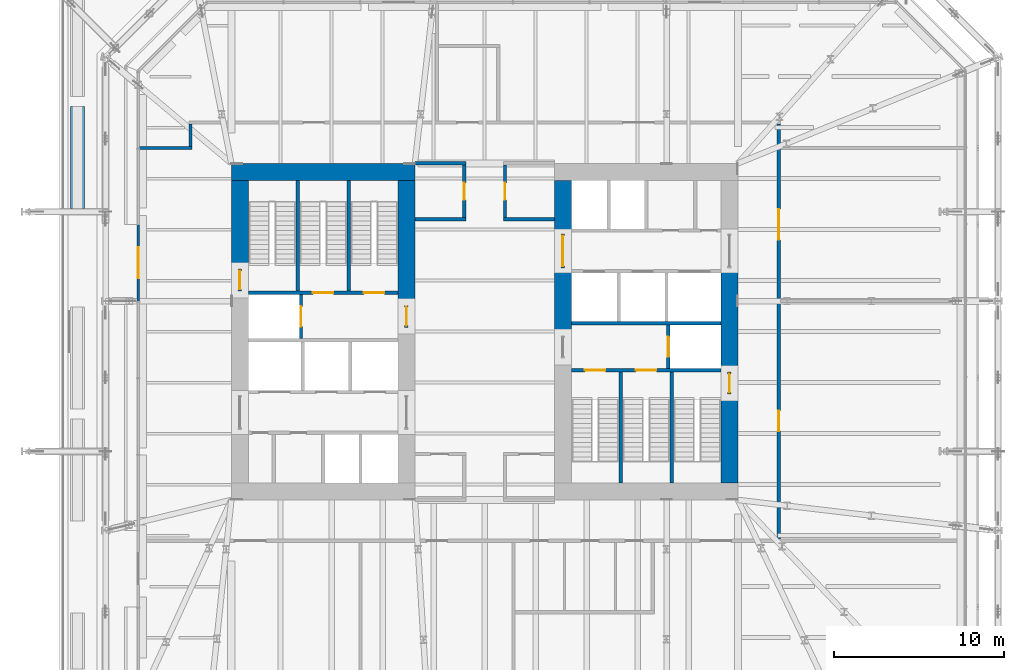
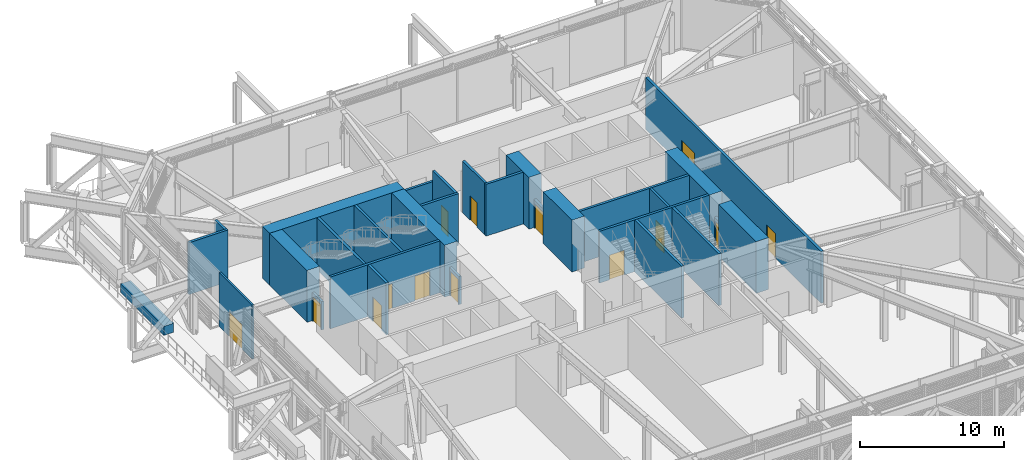
# One storey, part 18 of 29: 30 walls, 15 doors, 15 openings.
"""IFC4 building model written with IfcOpenShell, lengths in metres."""

from ifc_helpers import new_model, si_unit, direction, frame, frame_2d, origin, place, context, subcontext, project, spatial, rectangle, extrude, material, layer, layer_set, type_object, element, fill, save


model = new_model("IFC4")

# Units and contexts
model_context = context("Model", 3, precision=1e-05, world=origin(), true_north=direction((0.0, 1.0)))
body_context = subcontext(model_context, "Body", "Model", "MODEL_VIEW")
ifc_project = project(units=[si_unit("LENGTHUNIT", "METRE"), si_unit("AREAUNIT", "SQUARE_METRE"), si_unit("VOLUMEUNIT", "CUBIC_METRE"), si_unit("PLANEANGLEUNIT", "RADIAN"), si_unit("MASSUNIT", "GRAM", prefix="KILO")], contexts=[model_context])

# Site, building, storey
site_placement = place(None, origin())
site = spatial("IfcSite", under=ifc_project, at=site_placement, CompositionType="ELEMENT")
building_placement = place(site_placement, origin())
building = spatial("IfcBuilding", under=site, at=building_placement, Name="Millrace Tower", CompositionType="ELEMENT")
storey_placement = place(building_placement, frame((0.0, 0.0, 68.60009765625)))
storey = spatial("IfcBuildingStorey", under=building, at=storey_placement, Name="L15", CompositionType="ELEMENT", Elevation=68.60009765625)

# Walls
ifc_material_1 = material(Name="Concrete C80", Category="concrete")
ifc_layer_1 = layer(ifc_material_1, 1.0)
ifc_layer_set_1 = layer_set([ifc_layer_1], Name="Concrete C80")
wall_type_1 = type_object("IfcWallType", Name="Core wall 1000 Concrete C80", PredefinedType="SHEAR", material=ifc_layer_set_1)
wall_1_placement = place(storey_placement, frame((-14.89990234375, 9.39990234375, 0.0), z_axis=(0.0, 0.0, 1.0), x_axis=(1.0, 0.0, 0.0)))
element("IfcWall", 1, at=wall_1_placement, inside=storey, type_object=wall_type_1, Name="Core wall W L15", PredefinedType="SHEAR", context=body_context, shape_type="SweptSolid", body=[
    extrude(rectangle(XDim=10.7998046875, YDim=1.0, at=frame_2d((5.39990234375, 0.0))), origin(), (0.0, 0.0, 1.0), 4.39990234375),
])
wall_2_placement = place(storey_placement, frame((-14.39990234375, 3.679931640625, 0.0), z_axis=(0.0, 0.0, 1.0), x_axis=(0.0, 1.0, 0.0)))
element("IfcWall", 2, at=wall_2_placement, inside=storey, type_object=wall_type_1, Name="Core wall W L15", PredefinedType="SHEAR", context=body_context, shape_type="SweptSolid", body=[
    extrude(rectangle(XDim=5.219970703125, YDim=1.0, at=frame_2d((2.60986328125, 0.0))), origin(), (0.0, 0.0, 1.0), 4.39990234375),
])
wall_3_placement = place(storey_placement, frame((-4.60009765625, 1.550048828125, 0.0), z_axis=(0.0, 0.0, 1.0), x_axis=(0.0, 1.0, 0.0)))
element("IfcWall", 3, at=wall_3_placement, inside=storey, type_object=wall_type_1, Name="Core wall W L15", PredefinedType="SHEAR", context=body_context, shape_type="SweptSolid", body=[
    extrude(rectangle(XDim=7.349853515625, YDim=1.0, at=frame_2d((3.6748046875, 0.0))), origin(), (0.0, 0.0, 1.0), 4.39990234375),
])
wall_4_placement = place(storey_placement, frame((14.39990234375, 3.75, 0.0), z_axis=(0.0, 0.0, 1.0), x_axis=(0.0, -1.0, 0.0)))
element("IfcWall", 4, at=wall_4_placement, inside=storey, type_object=wall_type_1, Name="Core wall E L15", PredefinedType="SHEAR", context=body_context, shape_type="SweptSolid", body=[
    extrude(rectangle(XDim=6.1298828125, YDim=1.0, at=frame_2d((3.06494140625, 0.0))), origin(), (0.0, 0.0, 1.0), 4.39990234375),
])
wall_5_placement = place(storey_placement, frame((14.39990234375, -3.679931640625, 0.0), z_axis=(0.0, 0.0, 1.0), x_axis=(0.0, -1.0, 0.0)))
element("IfcWall", 5, at=wall_5_placement, inside=storey, type_object=wall_type_1, Name="Core wall E L15", PredefinedType="SHEAR", context=body_context, shape_type="SweptSolid", body=[
    extrude(rectangle(XDim=5.219970703125, YDim=1.0, at=frame_2d((2.60986328125, 0.0))), origin(), (0.0, 0.0, 1.0), 4.39990234375),
])
wall_6_placement = place(storey_placement, frame((4.60009765625, 8.89990234375, 0.0), z_axis=(0.0, 0.0, 1.0), x_axis=(0.0, -1.0, 0.0)))
element("IfcWall", 6, at=wall_6_placement, inside=storey, type_object=wall_type_1, Name="Core wall E L15", PredefinedType="SHEAR", context=body_context, shape_type="SweptSolid", body=[
    extrude(rectangle(XDim=3.14990234375, YDim=1.0, at=frame_2d((1.574951171875, 0.0))), origin(), (0.0, 0.0, 1.0), 4.39990234375),
])
wall_7_placement = place(storey_placement, frame((4.60009765625, 3.75, 0.0), z_axis=(0.0, 0.0, 1.0), x_axis=(0.0, -1.0, 0.0)))
element("IfcWall", 7, at=wall_7_placement, inside=storey, type_object=wall_type_1, Name="Core wall E L15", PredefinedType="SHEAR", context=body_context, shape_type="SweptSolid", body=[
    extrude(rectangle(XDim=4.0, YDim=1.0, at=frame_2d((2.0, 0.0))), origin(), (0.0, 0.0, 1.0), 4.39990234375),
])
ifc_material_2 = material(Name="Masonry partition, fire-rated", Category="masonry")
ifc_layer_2 = layer(ifc_material_2, 0.199951171875)
ifc_layer_set_2 = layer_set([ifc_layer_2], Name="Masonry partition, fire-rated")
wall_type_2 = type_object("IfcWallType", Name="Corridor wall 200", PredefinedType="PARTITIONING", material=ifc_layer_set_2)
for number, where, z_axis, x_axis, name in (
    (8, (-4.10009765625, 6.60009765625, 0.0), (0.0, 0.0, 1.0), (1.0, 0.0, 0.0), "Corridor wall L15"),
    (9, (1.10009765625, 6.60009765625, 0.0), (0.0, 0.0, 1.0), (1.0, 0.0, 0.0), "Corridor wall L15"),
):
    element("IfcWall", number, at=place(storey_placement, frame(where, z_axis=z_axis, x_axis=x_axis)), inside=storey, type_object=wall_type_2, Name=name, PredefinedType="PARTITIONING", context=body_context, shape_type="SweptSolid", body=[
        extrude(rectangle(XDim=3.0, YDim=0.199951171875, at=frame_2d((1.5, 0.0))), origin(), (0.0, 0.0, 1.0), 4.39990234375),
    ])
wall_8_placement = place(storey_placement, frame((-4.10009765625, 9.89990234375, 0.0), z_axis=(0.0, 0.0, 1.0), x_axis=(1.0, 0.0, 0.0)))
element("IfcWall", 10, at=wall_8_placement, inside=storey, type_object=wall_type_2, Name="Corridor wall L15", PredefinedType="PARTITIONING", context=body_context, shape_type="SweptSolid", body=[
    extrude(rectangle(XDim=3.0, YDim=0.199951171875, at=frame_2d((1.5, 0.0))), origin(), (0.0, 0.0, 1.0), 3.462646484375),
])
wall_9_placement = place(storey_placement, frame((-20.330078125, 10.800048828125, 0.0), z_axis=(0.0, 0.0, 1.0), x_axis=(1.0, 0.0, 0.0)))
element("IfcWall", 11, at=wall_9_placement, inside=storey, type_object=wall_type_2, Name="Corridor wall L15", PredefinedType="PARTITIONING", context=body_context, shape_type="SweptSolid", body=[
    extrude(rectangle(XDim=3.130126953125, YDim=0.199951171875, at=frame_2d((1.56494140625, 0.0))), origin(), (0.0, 0.0, 1.0), 4.39990234375),
])

# Wall, openings, doors
wall_10_placement = place(storey_placement, frame((17.300048828125, -12.199951171875, 0.0), z_axis=(0.0, 0.0, 1.0), x_axis=(0.0, 1.0, 0.0)))
wall_10 = element("IfcWall", 12, at=wall_10_placement, inside=storey, type_object=wall_type_2, Name="Corridor wall L15", PredefinedType="PARTITIONING", context=body_context, shape_type="SweptSolid", body=[
    extrude(rectangle(XDim=24.39990234375, YDim=0.199951171875, at=frame_2d((12.199951171875, 0.0))), origin(), (0.0, 0.0, 1.0), 4.39990234375),
])
opening_1_placement = place(wall_10_placement, frame((6.35009765625, 0.0, 0.0)))
opening_1 = element("IfcOpeningElement", 13, at=opening_1_placement, cuts=wall_10, Name="Opening 15-P011", PredefinedType="OPENING", context=body_context, shape_type="SweptSolid", body=[
    extrude(rectangle(XDim=1.199951171875, YDim=2.10009765625, at=frame_2d((0.60009765625, 1.050048828125))), frame((0.0, 0.10986328125, 0.0), z_axis=(0.0, -1.0, 0.0), x_axis=(1.0, 0.0, 0.0)), (0.0, 0.0, 1.0), 0.219970703125),
])
opening_2_placement = place(wall_10_placement, frame((17.60009765625, 0.0, 0.0)))
opening_2 = element("IfcOpeningElement", 14, at=opening_2_placement, cuts=wall_10, Name="Opening 15-P012", PredefinedType="OPENING", context=body_context, shape_type="SweptSolid", body=[
    extrude(rectangle(XDim=1.800048828125, YDim=2.10009765625, at=frame_2d((0.89990234375, 1.050048828125))), frame((0.0, 0.10986328125, 0.0), z_axis=(0.0, -1.0, 0.0), x_axis=(1.0, 0.0, 0.0)), (0.0, 0.0, 1.0), 0.219970703125),
])
ifc_material_3 = material(Name="Steel door set, fire-rated", Category="steel")
door_type_1 = type_object("IfcDoorType", Name="Corridor door 1200 x 2100", OperationType="SINGLE_SWING_LEFT", PredefinedType="DOOR", material=ifc_material_3)
door_1_placement = place(opening_1_placement, origin())
door_1 = element("IfcDoor", 15, at=door_1_placement, inside=storey, type_object=door_type_1, Name="Door 15-P011", OperationType="SINGLE_SWING_LEFT", OverallHeight=2.10009765625, OverallWidth=1.199951171875, PredefinedType="DOOR", context=body_context, shape_type="SweptSolid", body=[
    extrude(rectangle(XDim=1.199951171875, YDim=2.10009765625, at=frame_2d((0.60009765625, 1.050048828125))), frame((0.0, 0.02490234375, 0.0), z_axis=(0.0, -1.0, 0.0), x_axis=(1.0, 0.0, 0.0)), (0.0, 0.0, 1.0), 0.050048828125),
])
fill(opening_1, door_1)
ifc_material_4 = material(Name="Steel door set, fire-rated", Category="steel")
door_type_2 = type_object("IfcDoorType", Name="Data hall door 1800 x 2100", OperationType="DOUBLE_DOOR_SINGLE_SWING", PredefinedType="DOOR", material=ifc_material_4)
door_2_placement = place(opening_2_placement, frame((1.800048828125, 0.0, 0.0), z_axis=(0.0, 0.0, 1.0), x_axis=(-1.0, 0.0, 0.0)))
door_2 = element("IfcDoor", 16, at=door_2_placement, inside=storey, type_object=door_type_2, Name="Door 15-P012", OperationType="DOUBLE_DOOR_SINGLE_SWING", OverallHeight=2.10009765625, OverallWidth=1.800048828125, PredefinedType="DOOR", context=body_context, shape_type="SweptSolid", body=[
    extrude(rectangle(XDim=1.800048828125, YDim=2.10009765625, at=frame_2d((0.89990234375, 1.050048828125))), frame((0.0, 0.02490234375, 0.0), z_axis=(0.0, -1.0, 0.0), x_axis=(1.0, 0.0, 0.0)), (0.0, 0.0, 1.0), 0.050048828125),
])
fill(opening_2, door_2)

# Wall, opening, door
wall_11_placement = place(storey_placement, frame((1.199951171875, 6.699951171875, 0.0), z_axis=(0.0, 0.0, 1.0), x_axis=(0.0, 1.0, 0.0)))
wall_11 = element("IfcWall", 17, at=wall_11_placement, inside=storey, type_object=wall_type_2, Name="Corridor wall L15", PredefinedType="PARTITIONING", context=body_context, shape_type="SweptSolid", body=[
    extrude(rectangle(XDim=3.10009765625, YDim=0.199951171875, at=frame_2d((1.550048828125, 0.0))), origin(), (0.0, 0.0, 1.0), 4.39990234375),
])
opening_3_placement = place(wall_11_placement, frame((1.050048828125, 0.0, 0.0)))
opening_3 = element("IfcOpeningElement", 18, at=opening_3_placement, cuts=wall_11, Name="Opening 15-P002", PredefinedType="OPENING", context=body_context, shape_type="SweptSolid", body=[
    extrude(rectangle(XDim=1.0, YDim=2.10009765625, at=frame_2d((0.5, 1.050048828125))), frame((0.0, 0.10986328125, 0.0), z_axis=(0.0, -1.0, 0.0), x_axis=(1.0, 0.0, 0.0)), (0.0, 0.0, 1.0), 0.219970703125),
])
ifc_material_5 = material(Name="Steel door set, fire-rated", Category="steel")
door_type_3 = type_object("IfcDoorType", Name="Corridor door 1000 x 2100", OperationType="SINGLE_SWING_LEFT", PredefinedType="DOOR", material=ifc_material_5)
door_3_placement = place(opening_3_placement, frame((1.0, 0.0, 0.0), z_axis=(0.0, 0.0, 1.0), x_axis=(-1.0, 0.0, 0.0)))
door_3 = element("IfcDoor", 19, at=door_3_placement, inside=storey, type_object=door_type_3, Name="Door 15-P002", OperationType="SINGLE_SWING_RIGHT", OverallHeight=2.10009765625, OverallWidth=1.0, PredefinedType="DOOR", context=body_context, shape_type="SweptSolid", body=[
    extrude(rectangle(XDim=1.0, YDim=2.10009765625, at=frame_2d((0.5, 1.050048828125))), frame((0.0, 0.02490234375, 0.0), z_axis=(0.0, -1.0, 0.0), x_axis=(1.0, 0.0, 0.0)), (0.0, 0.0, 1.0), 0.050048828125),
])
fill(opening_3, door_3)

wall_12_placement = place(storey_placement, frame((-1.199951171875, 6.699951171875, 0.0), z_axis=(0.0, 0.0, 1.0), x_axis=(0.0, 1.0, 0.0)))
wall_12 = element("IfcWall", 20, at=wall_12_placement, inside=storey, type_object=wall_type_2, Name="Corridor wall L15", PredefinedType="PARTITIONING", context=body_context, shape_type="SweptSolid", body=[
    extrude(rectangle(XDim=3.10009765625, YDim=0.199951171875, at=frame_2d((1.550048828125, 0.0))), origin(), (0.0, 0.0, 1.0), 4.39990234375),
])
opening_4_placement = place(wall_12_placement, frame((1.050048828125, 0.0, 0.0)))
opening_4 = element("IfcOpeningElement", 21, at=opening_4_placement, cuts=wall_12, Name="Opening 15-P001", PredefinedType="OPENING", context=body_context, shape_type="SweptSolid", body=[
    extrude(rectangle(XDim=1.0, YDim=2.10009765625, at=frame_2d((0.5, 1.050048828125))), frame((0.0, 0.10986328125, 0.0), z_axis=(0.0, -1.0, 0.0), x_axis=(1.0, 0.0, 0.0)), (0.0, 0.0, 1.0), 0.219970703125),
])
door_4_placement = place(opening_4_placement, origin())
door_4 = element("IfcDoor", 22, at=door_4_placement, inside=storey, type_object=door_type_3, Name="Door 15-P001", OperationType="SINGLE_SWING_LEFT", OverallHeight=2.10009765625, OverallWidth=1.0, PredefinedType="DOOR", context=body_context, shape_type="SweptSolid", body=[
    extrude(rectangle(XDim=1.0, YDim=2.10009765625, at=frame_2d((0.5, 1.050048828125))), frame((0.0, 0.02490234375, 0.0), z_axis=(0.0, -1.0, 0.0), x_axis=(1.0, 0.0, 0.0)), (0.0, 0.0, 1.0), 0.050048828125),
])
fill(opening_4, door_4)

# Wall
wall_13_placement = place(storey_placement, frame((-17.300048828125, 10.89990234375, 0.0), z_axis=(0.0, 0.0, 1.0), x_axis=(0.0, 1.0, 0.0)))
element("IfcWall", 23, at=wall_13_placement, inside=storey, type_object=wall_type_2, Name="Corridor wall L15", PredefinedType="PARTITIONING", context=body_context, shape_type="SweptSolid", body=[
    extrude(rectangle(XDim=1.300048828125, YDim=0.199951171875, at=frame_2d((0.64990234375, 0.0))), origin(), (0.0, 0.0, 1.0), 4.39990234375),
])

# Wall, opening, door
ifc_material_6 = material(Name="Aluminium framed glazing", Category="aluminium")
ifc_layer_3 = layer(ifc_material_6, 0.14990234375)
ifc_layer_set_3 = layer_set([ifc_layer_3], Name="Aluminium framed glazing")
wall_type_3 = type_object("IfcWallType", Name="Entrance infill wall 150 thick", PredefinedType="STANDARD", material=ifc_layer_set_3)
wall_14_placement = place(storey_placement, frame((-20.375, 6.300048828125, 0.0), z_axis=(0.0, 0.0, 1.0), x_axis=(0.0, -1.0, 0.0)))
wall_14 = element("IfcWall", 24, at=wall_14_placement, inside=storey, type_object=wall_type_3, Name="Entrance infill wall B-F08 3", PredefinedType="STANDARD", context=body_context, shape_type="SweptSolid", body=[
    extrude(rectangle(XDim=4.56494140625, YDim=0.14990234375, at=frame_2d((2.282470703125, 0.0))), origin(), (0.0, 0.0, 1.0), 4.599853515625),
])
opening_5_placement = place(wall_14_placement, frame((1.35009765625, 0.0, 0.0)))
opening_5 = element("IfcOpeningElement", 25, at=opening_5_placement, cuts=wall_14, Name="Opening 15-X003", PredefinedType="OPENING", context=body_context, shape_type="SweptSolid", body=[
    extrude(rectangle(XDim=1.800048828125, YDim=2.10009765625, at=frame_2d((0.89990234375, 1.050048828125))), frame((0.0, 0.0849609375, 0.0), z_axis=(0.0, -1.0, 0.0), x_axis=(1.0, 0.0, 0.0)), (0.0, 0.0, 1.0), 0.169921875),
])
ifc_material_7 = material(Name="Aluminium and glass", Category="aluminium")
door_type_4 = type_object("IfcDoorType", Name="Terrace double door", OperationType="DOUBLE_DOOR_DOUBLE_SWING", PredefinedType="DOOR", material=ifc_material_7)
door_5_placement = place(opening_5_placement, frame((1.800048828125, 0.0, 0.0), z_axis=(0.0, 0.0, 1.0), x_axis=(-1.0, 0.0, 0.0)))
door_5 = element("IfcDoor", 26, at=door_5_placement, inside=storey, type_object=door_type_4, Name="15-X003", OperationType="DOUBLE_DOOR_DOUBLE_SWING", OverallHeight=2.10009765625, OverallWidth=1.800048828125, PredefinedType="DOOR", context=body_context, shape_type="SweptSolid", body=[
    extrude(rectangle(XDim=1.800048828125, YDim=2.10009765625, at=frame_2d((0.89990234375, 1.050048828125))), frame((0.0, 0.02490234375, 0.0), z_axis=(0.0, -1.0, 0.0), x_axis=(1.0, 0.0, 0.0)), (0.0, 0.0, 1.0), 0.050048828125),
])
fill(opening_5, door_5)

ifc_material_8 = material(Name="Masonry partition, fire-rated", Category="masonry")
ifc_layer_4 = layer(ifc_material_8, 0.199951171875)
ifc_layer_set_4 = layer_set([ifc_layer_4], Name="Masonry partition, fire-rated")
wall_type_4 = type_object("IfcWallType", Name="Lift shaft wall 200", PredefinedType="PARTITIONING", material=ifc_layer_set_4)
wall_15_placement = place(storey_placement, frame((-10.800048828125, -0.39990234375, 0.0), z_axis=(0.0, 0.0, 1.0), x_axis=(0.0, 1.0, 0.0)))
wall_15 = element("IfcWall", 27, at=wall_15_placement, inside=storey, type_object=wall_type_4, Name="Lift shaft wall W L15", PredefinedType="PARTITIONING", context=body_context, shape_type="SweptSolid", body=[
    extrude(rectangle(XDim=2.579833984375, YDim=0.199951171875, at=frame_2d((1.2900390625, 0.0))), origin(), (0.0, 0.0, 1.0), 4.39990234375),
])
opening_6_placement = place(wall_15_placement, frame((0.68994140625, 0.0, 0.0)))
opening_6 = element("IfcOpeningElement", 28, at=opening_6_placement, cuts=wall_15, Name="Opening 15-LD08", PredefinedType="OPENING", context=body_context, shape_type="SweptSolid", body=[
    extrude(rectangle(XDim=1.199951171875, YDim=2.10009765625, at=frame_2d((0.60009765625, 1.050048828125))), frame((0.0, 0.10986328125, 0.0), z_axis=(0.0, -1.0, 0.0), x_axis=(1.0, 0.0, 0.0)), (0.0, 0.0, 1.0), 0.219970703125),
])
ifc_material_9 = material(Name="Stainless steel, fire-rated", Category="steel")
door_type_5 = type_object("IfcDoorType", Name="Lift landing door 1200 x 2100", OperationType="DOUBLE_DOOR_SLIDING", PredefinedType="DOOR", material=ifc_material_9)
door_6_placement = place(opening_6_placement, origin())
door_6 = element("IfcDoor", 29, at=door_6_placement, inside=storey, type_object=door_type_5, Name="Lift landing door LF8 L15", OperationType="DOUBLE_DOOR_SLIDING", OverallHeight=2.10009765625, OverallWidth=1.199951171875, PredefinedType="DOOR", context=body_context, shape_type="SweptSolid", body=[
    extrude(rectangle(XDim=1.199951171875, YDim=2.10009765625, at=frame_2d((0.60009765625, 1.050048828125))), frame((0.0, 0.02490234375, 0.0), z_axis=(0.0, -1.0, 0.0), x_axis=(1.0, 0.0, 0.0)), (0.0, 0.0, 1.0), 0.050048828125),
])
fill(opening_6, door_6)

# Wall
wall_16_placement = place(storey_placement, frame((13.89990234375, 0.5, 0.0), z_axis=(0.0, 0.0, 1.0), x_axis=(-1.0, 0.0, 0.0)))
element("IfcWall", 30, at=wall_16_placement, inside=storey, type_object=wall_type_4, Name="Lift shaft wall E L15", PredefinedType="PARTITIONING", context=body_context, shape_type="SweptSolid", body=[
    extrude(rectangle(XDim=8.7998046875, YDim=0.199951171875, at=frame_2d((4.39990234375, 0.0))), origin(), (0.0, 0.0, 1.0), 4.39990234375),
])

# Wall, opening, door
wall_17_placement = place(storey_placement, frame((10.800048828125, 0.39990234375, 0.0), z_axis=(0.0, 0.0, 1.0), x_axis=(0.0, -1.0, 0.0)))
wall_17 = element("IfcWall", 31, at=wall_17_placement, inside=storey, type_object=wall_type_4, Name="Lift shaft wall E L15", PredefinedType="PARTITIONING", context=body_context, shape_type="SweptSolid", body=[
    extrude(rectangle(XDim=2.579833984375, YDim=0.199951171875, at=frame_2d((1.2900390625, 0.0))), origin(), (0.0, 0.0, 1.0), 4.39990234375),
])
opening_7_placement = place(wall_17_placement, frame((0.68994140625, 0.0, 0.0)))
opening_7 = element("IfcOpeningElement", 32, at=opening_7_placement, cuts=wall_17, Name="Opening 15-LD16", PredefinedType="OPENING", context=body_context, shape_type="SweptSolid", body=[
    extrude(rectangle(XDim=1.199951171875, YDim=2.10009765625, at=frame_2d((0.60009765625, 1.050048828125))), frame((0.0, 0.10986328125, 0.0), z_axis=(0.0, -1.0, 0.0), x_axis=(1.0, 0.0, 0.0)), (0.0, 0.0, 1.0), 0.219970703125),
])
door_7_placement = place(opening_7_placement, origin())
door_7 = element("IfcDoor", 33, at=door_7_placement, inside=storey, type_object=door_type_5, Name="Lift landing door LF16 L15", OperationType="DOUBLE_DOOR_SLIDING", OverallHeight=2.10009765625, OverallWidth=1.199951171875, PredefinedType="DOOR", context=body_context, shape_type="SweptSolid", body=[
    extrude(rectangle(XDim=1.199951171875, YDim=2.10009765625, at=frame_2d((0.60009765625, 1.050048828125))), frame((0.0, 0.02490234375, 0.0), z_axis=(0.0, -1.0, 0.0), x_axis=(1.0, 0.0, 0.0)), (0.0, 0.0, 1.0), 0.050048828125),
])
fill(opening_7, door_7)

ifc_material_10 = material(Name="Masonry partition, fire-rated", Category="masonry")
ifc_layer_5 = layer(ifc_material_10, 0.199951171875)
ifc_layer_set_5 = layer_set([ifc_layer_5], Name="Masonry partition, fire-rated")
wall_type_5 = type_object("IfcWallType", Name="Lobby wall 200", PredefinedType="PARTITIONING", material=ifc_layer_set_5)
wall_18_placement = place(storey_placement, frame((-4.60009765625, 0.25, 0.0), z_axis=(0.0, 0.0, 1.0), x_axis=(0.0, 1.0, 0.0)))
wall_18 = element("IfcWall", 34, at=wall_18_placement, inside=storey, type_object=wall_type_5, Name="Lobby wall W L15", PredefinedType="PARTITIONING", context=body_context, shape_type="SweptSolid", body=[
    extrude(rectangle(XDim=1.300048828125, YDim=0.199951171875, at=frame_2d((0.64990234375, 0.0))), origin(), (0.0, 0.0, 1.0), 2.39990234375),
])
opening_8_placement = place(wall_18_placement, frame((0.10009765625, 0.0, 0.0)))
opening_8 = element("IfcOpeningElement", 35, at=opening_8_placement, cuts=wall_18, Name="Opening 15-C004", PredefinedType="OPENING", context=body_context, shape_type="SweptSolid", body=[
    extrude(rectangle(XDim=1.10009765625, YDim=2.10009765625, at=frame_2d((0.550048828125, 1.050048828125))), frame((0.0, 0.10986328125, 0.0), z_axis=(0.0, -1.0, 0.0), x_axis=(1.0, 0.0, 0.0)), (0.0, 0.0, 1.0), 0.219970703125),
])
ifc_material_11 = material(Name="Steel door, fire-rated", Category="steel")
door_type_6 = type_object("IfcDoorType", Name="Lobby door 1100 x 2100", OperationType="SINGLE_SWING_LEFT", PredefinedType="DOOR", material=ifc_material_11)
door_8_placement = place(opening_8_placement, origin())
door_8 = element("IfcDoor", 36, at=door_8_placement, inside=storey, type_object=door_type_6, Name="Lobby door 15-C004", OperationType="SINGLE_SWING_LEFT", OverallHeight=2.10009765625, OverallWidth=1.10009765625, PredefinedType="DOOR", context=body_context, shape_type="SweptSolid", body=[
    extrude(rectangle(XDim=1.10009765625, YDim=2.10009765625, at=frame_2d((0.550048828125, 1.050048828125))), frame((0.0, 0.02490234375, 0.0), z_axis=(0.0, -1.0, 0.0), x_axis=(1.0, 0.0, 0.0)), (0.0, 0.0, 1.0), 0.050048828125),
])
fill(opening_8, door_8)

wall_19_placement = place(storey_placement, frame((4.60009765625, 5.75, 0.0), z_axis=(0.0, 0.0, 1.0), x_axis=(0.0, -1.0, 0.0)))
wall_19 = element("IfcWall", 37, at=wall_19_placement, inside=storey, type_object=wall_type_5, Name="Lobby wall E L15", PredefinedType="PARTITIONING", context=body_context, shape_type="SweptSolid", body=[
    extrude(rectangle(XDim=2.0, YDim=0.199951171875, at=frame_2d((1.0, 0.0))), origin(), (0.0, 0.0, 1.0), 2.39990234375),
])
opening_9_placement = place(wall_19_placement, frame((0.10009765625, 0.0, 0.0)))
opening_9 = element("IfcOpeningElement", 38, at=opening_9_placement, cuts=wall_19, Name="Opening 15-C011", PredefinedType="OPENING", context=body_context, shape_type="SweptSolid", body=[
    extrude(rectangle(XDim=1.800048828125, YDim=2.10009765625, at=frame_2d((0.89990234375, 1.050048828125))), frame((0.0, 0.10986328125, 0.0), z_axis=(0.0, -1.0, 0.0), x_axis=(1.0, 0.0, 0.0)), (0.0, 0.0, 1.0), 0.219970703125),
])
ifc_material_12 = material(Name="Steel door, fire-rated", Category="steel")
door_type_7 = type_object("IfcDoorType", Name="Lobby door 1800 x 2100", OperationType="DOUBLE_DOOR_SINGLE_SWING", PredefinedType="DOOR", material=ifc_material_12)
door_9_placement = place(opening_9_placement, origin())
door_9 = element("IfcDoor", 39, at=door_9_placement, inside=storey, type_object=door_type_7, Name="Lobby door 15-C011", OperationType="DOUBLE_DOOR_SINGLE_SWING", OverallHeight=2.10009765625, OverallWidth=1.800048828125, PredefinedType="DOOR", context=body_context, shape_type="SweptSolid", body=[
    extrude(rectangle(XDim=1.800048828125, YDim=2.10009765625, at=frame_2d((0.89990234375, 1.050048828125))), frame((0.0, 0.02490234375, 0.0), z_axis=(0.0, -1.0, 0.0), x_axis=(1.0, 0.0, 0.0)), (0.0, 0.0, 1.0), 0.050048828125),
])
fill(opening_9, door_9)

# Wall
ifc_material_13 = material(Name="Concrete C40", Category="concrete")
ifc_layer_6 = layer(ifc_material_13, 0.800048828125)
ifc_layer_set_6 = layer_set([ifc_layer_6], Name="Concrete C40")
wall_type_6 = type_object("IfcWallType", Name="PLANTER raised bed 760 high x 800 thick", PredefinedType="STANDARD", material=ifc_layer_set_6)
wall_20_placement = place(storey_placement, frame((-23.949951171875, 13.242919921875, 0.039794921875), z_axis=(0.0, 0.0, 1.0), x_axis=(0.0, -1.0, 0.0)))
element("IfcWall", 40, at=wall_20_placement, inside=storey, type_object=wall_type_6, Name="PLANTER raised bed T-L14-1 1.3.1", PredefinedType="STANDARD", context=body_context, shape_type="SweptSolid", body=[
    extrude(rectangle(XDim=6.0, YDim=0.800048828125, at=frame_2d((3.0, 0.0))), origin(), (0.0, 0.0, 1.0), 0.760009765625),
])

# Wall, opening, door
ifc_material_14 = material(Name="Concrete C40", Category="concrete")
ifc_layer_7 = layer(ifc_material_14, 0.199951171875)
ifc_layer_set_7 = layer_set([ifc_layer_7], Name="Concrete C40")
wall_type_7 = type_object("IfcWallType", Name="Stair enclosure wall 200 Concrete C40", PredefinedType="SHEAR", material=ifc_layer_set_7)
wall_21_placement = place(storey_placement, frame((-14.39990234375, 2.3798828125, 0.0), z_axis=(0.0, 0.0, 1.0), x_axis=(0.0, 1.0, 0.0)))
wall_21 = element("IfcWall", 41, at=wall_21_placement, inside=storey, type_object=wall_type_7, Name="Stair enclosure wall W L15", PredefinedType="SHEAR", context=body_context, shape_type="SweptSolid", body=[
    extrude(rectangle(XDim=1.300048828125, YDim=0.199951171875, at=frame_2d((0.64990234375, 0.0))), origin(), (0.0, 0.0, 1.0), 2.39990234375),
])
opening_10_placement = place(wall_21_placement, frame((0.10009765625, 0.0, 0.0)))
opening_10 = element("IfcOpeningElement", 42, at=opening_10_placement, cuts=wall_21, Name="Opening 15-C002", PredefinedType="OPENING", context=body_context, shape_type="SweptSolid", body=[
    extrude(rectangle(XDim=1.10009765625, YDim=2.10009765625, at=frame_2d((0.550048828125, 1.050048828125))), frame((0.0, 0.10986328125, 0.0), z_axis=(0.0, -1.0, 0.0), x_axis=(1.0, 0.0, 0.0)), (0.0, 0.0, 1.0), 0.219970703125),
])
ifc_material_15 = material(Name="Steel door, fire-rated", Category="steel")
door_type_8 = type_object("IfcDoorType", Name="Stair door 1100 x 2100", OperationType="SINGLE_SWING_LEFT", PredefinedType="DOOR", material=ifc_material_15)
door_10_placement = place(opening_10_placement, origin())
door_10 = element("IfcDoor", 43, at=door_10_placement, inside=storey, type_object=door_type_8, Name="Stair door 15-C002", OperationType="SINGLE_SWING_RIGHT", OverallHeight=2.10009765625, OverallWidth=1.10009765625, PredefinedType="DOOR", context=body_context, shape_type="SweptSolid", body=[
    extrude(rectangle(XDim=1.10009765625, YDim=2.10009765625, at=frame_2d((0.550048828125, 1.050048828125))), frame((0.0, 0.02490234375, 0.0), z_axis=(0.0, -1.0, 0.0), x_axis=(1.0, 0.0, 0.0)), (0.0, 0.0, 1.0), 0.050048828125),
])
fill(opening_10, door_10)

# Wall, openings, doors
wall_22_placement = place(storey_placement, frame((-13.89990234375, 2.280029296875, 0.0), z_axis=(0.0, 0.0, 1.0), x_axis=(1.0, 0.0, 0.0)))
wall_22 = element("IfcWall", 44, at=wall_22_placement, inside=storey, type_object=wall_type_7, Name="Stair enclosure wall W L15", PredefinedType="SHEAR", context=body_context, shape_type="SweptSolid", body=[
    extrude(rectangle(XDim=8.7998046875, YDim=0.199951171875, at=frame_2d((4.39990234375, 0.0))), origin(), (0.0, 0.0, 1.0), 4.39990234375),
])
opening_11_placement = place(wall_22_placement, frame((3.800048828125, 0.0, 0.0)))
opening_11 = element("IfcOpeningElement", 45, at=opening_11_placement, cuts=wall_22, Name="Opening 15-C007", PredefinedType="OPENING", context=body_context, shape_type="SweptSolid", body=[
    extrude(rectangle(XDim=1.199951171875, YDim=2.10009765625, at=frame_2d((0.60009765625, 1.050048828125))), frame((0.0, 0.10986328125, 0.0), z_axis=(0.0, -1.0, 0.0), x_axis=(1.0, 0.0, 0.0)), (0.0, 0.0, 1.0), 0.219970703125),
])
opening_12_placement = place(wall_22_placement, frame((6.800048828125, 0.0, 0.0)))
opening_12 = element("IfcOpeningElement", 46, at=opening_12_placement, cuts=wall_22, Name="Opening 15-C008", PredefinedType="OPENING", context=body_context, shape_type="SweptSolid", body=[
    extrude(rectangle(XDim=1.199951171875, YDim=2.10009765625, at=frame_2d((0.60009765625, 1.050048828125))), frame((0.0, 0.10986328125, 0.0), z_axis=(0.0, -1.0, 0.0), x_axis=(1.0, 0.0, 0.0)), (0.0, 0.0, 1.0), 0.219970703125),
])
ifc_material_16 = material(Name="Steel door, fire-rated", Category="steel")
door_type_9 = type_object("IfcDoorType", Name="Stair door 1200 x 2100", OperationType="SINGLE_SWING_LEFT", PredefinedType="DOOR", material=ifc_material_16)
door_11_placement = place(opening_11_placement, frame((1.199951171875, 0.0, 0.0), z_axis=(0.0, 0.0, 1.0), x_axis=(-1.0, 0.0, 0.0)))
door_11 = element("IfcDoor", 47, at=door_11_placement, inside=storey, type_object=door_type_9, Name="Stair door 15-C007", OperationType="SINGLE_SWING_LEFT", OverallHeight=2.10009765625, OverallWidth=1.199951171875, PredefinedType="DOOR", context=body_context, shape_type="SweptSolid", body=[
    extrude(rectangle(XDim=1.199951171875, YDim=2.10009765625, at=frame_2d((0.60009765625, 1.050048828125))), frame((0.0, 0.02490234375, 0.0), z_axis=(0.0, -1.0, 0.0), x_axis=(1.0, 0.0, 0.0)), (0.0, 0.0, 1.0), 0.050048828125),
])
fill(opening_11, door_11)
door_12_placement = place(opening_12_placement, frame((1.199951171875, 0.0, 0.0), z_axis=(0.0, 0.0, 1.0), x_axis=(-1.0, 0.0, 0.0)))
door_12 = element("IfcDoor", 48, at=door_12_placement, inside=storey, type_object=door_type_9, Name="Stair door 15-C008", OperationType="SINGLE_SWING_LEFT", OverallHeight=2.10009765625, OverallWidth=1.199951171875, PredefinedType="DOOR", context=body_context, shape_type="SweptSolid", body=[
    extrude(rectangle(XDim=1.199951171875, YDim=2.10009765625, at=frame_2d((0.60009765625, 1.050048828125))), frame((0.0, 0.02490234375, 0.0), z_axis=(0.0, -1.0, 0.0), x_axis=(1.0, 0.0, 0.0)), (0.0, 0.0, 1.0), 0.050048828125),
])
fill(opening_12, door_12)

# Walls
for number, where, z_axis, x_axis, name in (
    (49, (-11.0, 2.3798828125, 0.0), (0.0, 0.0, 1.0), (0.0, 1.0, 0.0), "Stair enclosure wall W L15"),
    (50, (-8.0, 2.3798828125, 0.0), (0.0, 0.0, 1.0), (0.0, 1.0, 0.0), "Stair enclosure wall W L15"),
):
    element("IfcWall", number, at=place(storey_placement, frame(where, z_axis=z_axis, x_axis=x_axis)), inside=storey, type_object=wall_type_7, Name=name, PredefinedType="SHEAR", context=body_context, shape_type="SweptSolid", body=[
        extrude(rectangle(XDim=6.52001953125, YDim=0.199951171875, at=frame_2d((3.260009765625, 0.0))), origin(), (0.0, 0.0, 1.0), 4.39990234375),
    ])

# Wall, opening, door
wall_23_placement = place(storey_placement, frame((14.39990234375, -2.3798828125, 0.0), z_axis=(0.0, 0.0, 1.0), x_axis=(0.0, -1.0, 0.0)))
wall_23 = element("IfcWall", 51, at=wall_23_placement, inside=storey, type_object=wall_type_7, Name="Stair enclosure wall E L15", PredefinedType="SHEAR", context=body_context, shape_type="SweptSolid", body=[
    extrude(rectangle(XDim=1.300048828125, YDim=0.199951171875, at=frame_2d((0.64990234375, 0.0))), origin(), (0.0, 0.0, 1.0), 2.39990234375),
])
opening_13_placement = place(wall_23_placement, frame((0.10009765625, 0.0, 0.0)))
opening_13 = element("IfcOpeningElement", 52, at=opening_13_placement, cuts=wall_23, Name="Opening 15-C010", PredefinedType="OPENING", context=body_context, shape_type="SweptSolid", body=[
    extrude(rectangle(XDim=1.10009765625, YDim=2.10009765625, at=frame_2d((0.550048828125, 1.050048828125))), frame((0.0, 0.10986328125, 0.0), z_axis=(0.0, -1.0, 0.0), x_axis=(1.0, 0.0, 0.0)), (0.0, 0.0, 1.0), 0.219970703125),
])
door_13_placement = place(opening_13_placement, origin())
door_13 = element("IfcDoor", 53, at=door_13_placement, inside=storey, type_object=door_type_8, Name="Stair door 15-C010", OperationType="SINGLE_SWING_RIGHT", OverallHeight=2.10009765625, OverallWidth=1.10009765625, PredefinedType="DOOR", context=body_context, shape_type="SweptSolid", body=[
    extrude(rectangle(XDim=1.10009765625, YDim=2.10009765625, at=frame_2d((0.550048828125, 1.050048828125))), frame((0.0, 0.02490234375, 0.0), z_axis=(0.0, -1.0, 0.0), x_axis=(1.0, 0.0, 0.0)), (0.0, 0.0, 1.0), 0.050048828125),
])
fill(opening_13, door_13)

# Wall, openings, doors
wall_24_placement = place(storey_placement, frame((13.89990234375, -2.280029296875, 0.0), z_axis=(0.0, 0.0, 1.0), x_axis=(-1.0, 0.0, 0.0)))
wall_24 = element("IfcWall", 54, at=wall_24_placement, inside=storey, type_object=wall_type_7, Name="Stair enclosure wall E L15", PredefinedType="SHEAR", context=body_context, shape_type="SweptSolid", body=[
    extrude(rectangle(XDim=8.7998046875, YDim=0.199951171875, at=frame_2d((4.39990234375, 0.0))), origin(), (0.0, 0.0, 1.0), 4.39990234375),
])
opening_14_placement = place(wall_24_placement, frame((3.800048828125, 0.0, 0.0)))
opening_14 = element("IfcOpeningElement", 55, at=opening_14_placement, cuts=wall_24, Name="Opening 15-C015", PredefinedType="OPENING", context=body_context, shape_type="SweptSolid", body=[
    extrude(rectangle(XDim=1.199951171875, YDim=2.10009765625, at=frame_2d((0.60009765625, 1.050048828125))), frame((0.0, 0.10986328125, 0.0), z_axis=(0.0, -1.0, 0.0), x_axis=(1.0, 0.0, 0.0)), (0.0, 0.0, 1.0), 0.219970703125),
])
opening_15_placement = place(wall_24_placement, frame((6.800048828125, 0.0, 0.0)))
opening_15 = element("IfcOpeningElement", 56, at=opening_15_placement, cuts=wall_24, Name="Opening 15-C016", PredefinedType="OPENING", context=body_context, shape_type="SweptSolid", body=[
    extrude(rectangle(XDim=1.199951171875, YDim=2.10009765625, at=frame_2d((0.60009765625, 1.050048828125))), frame((0.0, 0.10986328125, 0.0), z_axis=(0.0, -1.0, 0.0), x_axis=(1.0, 0.0, 0.0)), (0.0, 0.0, 1.0), 0.219970703125),
])
door_14_placement = place(opening_14_placement, frame((1.199951171875, 0.0, 0.0), z_axis=(0.0, 0.0, 1.0), x_axis=(-1.0, 0.0, 0.0)))
door_14 = element("IfcDoor", 57, at=door_14_placement, inside=storey, type_object=door_type_9, Name="Stair door 15-C015", OperationType="SINGLE_SWING_LEFT", OverallHeight=2.10009765625, OverallWidth=1.199951171875, PredefinedType="DOOR", context=body_context, shape_type="SweptSolid", body=[
    extrude(rectangle(XDim=1.199951171875, YDim=2.10009765625, at=frame_2d((0.60009765625, 1.050048828125))), frame((0.0, 0.02490234375, 0.0), z_axis=(0.0, -1.0, 0.0), x_axis=(1.0, 0.0, 0.0)), (0.0, 0.0, 1.0), 0.050048828125),
])
fill(opening_14, door_14)
door_15_placement = place(opening_15_placement, frame((1.199951171875, 0.0, 0.0), z_axis=(0.0, 0.0, 1.0), x_axis=(-1.0, 0.0, 0.0)))
door_15 = element("IfcDoor", 58, at=door_15_placement, inside=storey, type_object=door_type_9, Name="Stair door 15-C016", OperationType="SINGLE_SWING_LEFT", OverallHeight=2.10009765625, OverallWidth=1.199951171875, PredefinedType="DOOR", context=body_context, shape_type="SweptSolid", body=[
    extrude(rectangle(XDim=1.199951171875, YDim=2.10009765625, at=frame_2d((0.60009765625, 1.050048828125))), frame((0.0, 0.02490234375, 0.0), z_axis=(0.0, -1.0, 0.0), x_axis=(1.0, 0.0, 0.0)), (0.0, 0.0, 1.0), 0.050048828125),
])
fill(opening_15, door_15)

# Walls
for number, where, z_axis, x_axis, name in (
    (59, (11.0, -2.3798828125, 0.0), (0.0, 0.0, 1.0), (0.0, -1.0, 0.0), "Stair enclosure wall E L15"),
    (60, (8.0, -2.3798828125, 0.0), (0.0, 0.0, 1.0), (0.0, -1.0, 0.0), "Stair enclosure wall E L15"),
):
    element("IfcWall", number, at=place(storey_placement, frame(where, z_axis=z_axis, x_axis=x_axis)), inside=storey, type_object=wall_type_7, Name=name, PredefinedType="SHEAR", context=body_context, shape_type="SweptSolid", body=[
        extrude(rectangle(XDim=6.52001953125, YDim=0.199951171875, at=frame_2d((3.260009765625, 0.0))), origin(), (0.0, 0.0, 1.0), 4.39990234375),
    ])

save(model, "model.ifc")
